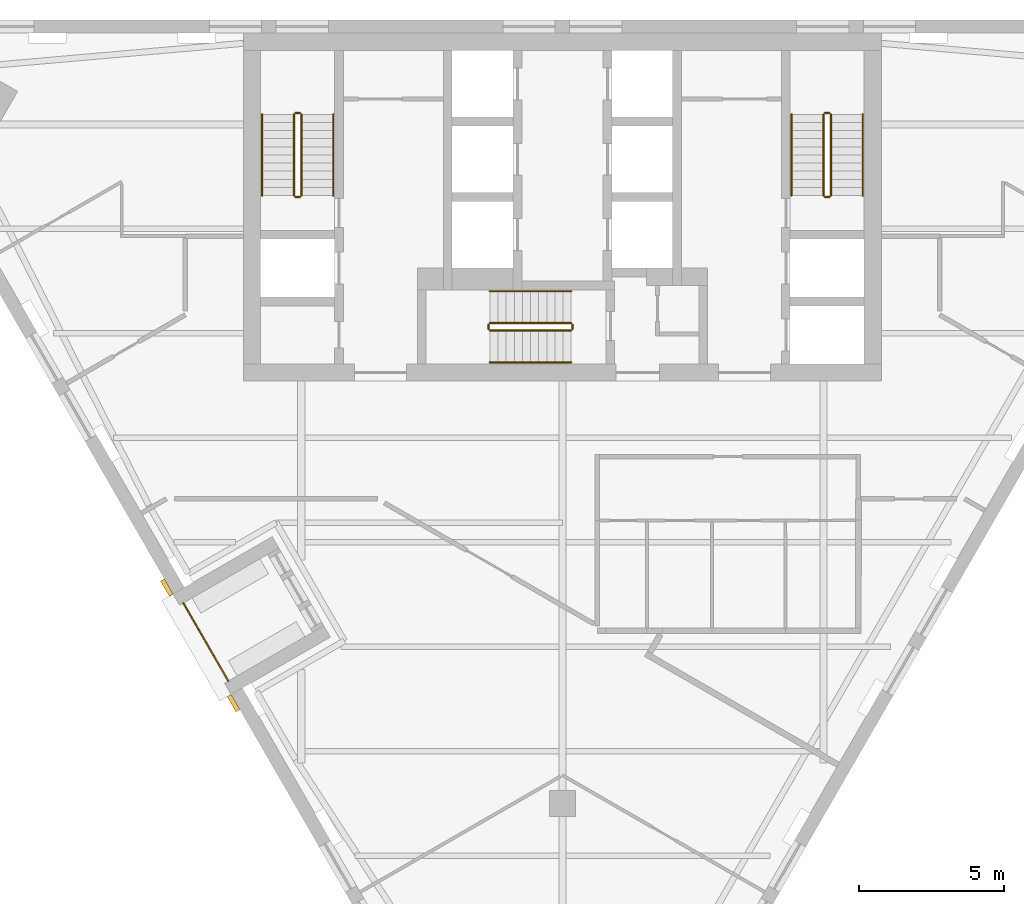
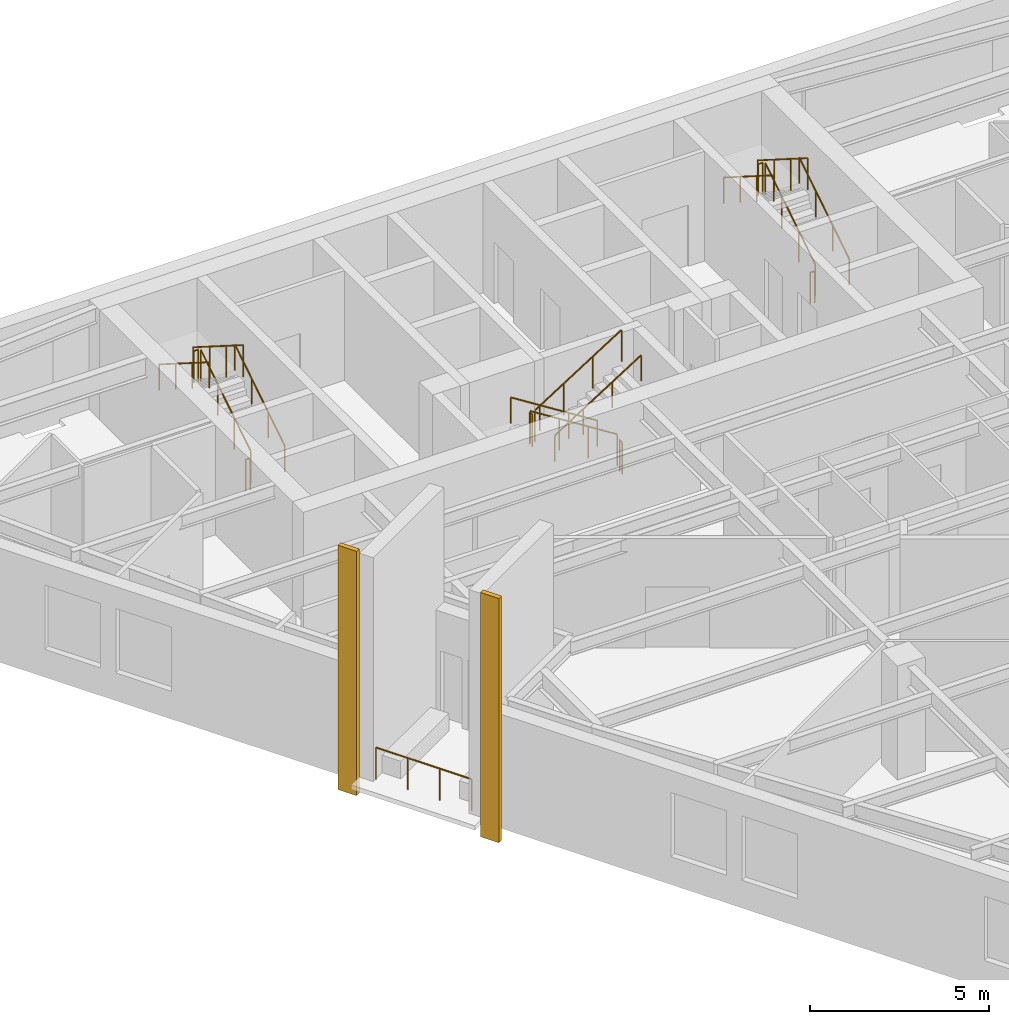
# One storey, part 7 of 7: 19 railings, 2 coverings.
"""IFC4 building model written with IfcOpenShell, lengths in metres."""

from ifc_helpers import new_model, si_unit, direction, frame, origin, origin_2d, place, context, subcontext, project, spatial, polyline, circle, outline, extrude, material, layer, layer_set, type_object, element, save


model = new_model("IFC4")

# Units and contexts
model_context = context("Model", 3, precision=1e-05, world=origin(), true_north=direction((0.0, 1.0)))
body_context = subcontext(model_context, "Body", "Model", "MODEL_VIEW")
ifc_project = project(units=[si_unit("LENGTHUNIT", "METRE"), si_unit("AREAUNIT", "SQUARE_METRE"), si_unit("VOLUMEUNIT", "CUBIC_METRE"), si_unit("PLANEANGLEUNIT", "RADIAN"), si_unit("MASSUNIT", "GRAM", prefix="KILO")], contexts=[model_context])

# Site, building, storey
site_placement = place(None, origin())
site = spatial("IfcSite", under=ifc_project, at=site_placement, CompositionType="ELEMENT")
building_placement = place(site_placement, origin())
building = spatial("IfcBuilding", under=site, at=building_placement, Name="Aloe Facet Convention Tower", CompositionType="ELEMENT")
storey_placement = place(building_placement, frame((0.0, 0.0, 148.10009765625)))
storey = spatial("IfcBuildingStorey", under=building, at=storey_placement, Name="L37", CompositionType="ELEMENT", Elevation=148.10009765625)

# Railings
ifc_material_1 = material(Name="Steel S355 balustrade", Category="steel")
railing_type_1 = type_object("IfcRailingType", Name="CR-RL-GUARD", PredefinedType="GUARDRAIL", material=ifc_material_1)
railing_1_placement = place(storey_placement, frame((71.0, 128.949951171875, 0.17724609375)))
element("IfcRailing", 1, at=railing_1_placement, inside=storey, type_object=railing_type_1, Name="L37 ST1 stair guard 1", PredefinedType="GUARDRAIL", context=body_context, shape_type="SweptSolid", body=[
    extrude(circle(Radius=0.02392578125, at=origin_2d()), frame((0.0, 0.0, 1.076171875), z_axis=(0.0, 0.844908973607, 0.534910110503), x_axis=(-1.0, 0.0, 0.0)), (0.0, 0.0, 1.0), 3.31396484375),
    extrude(circle(Radius=0.02099609375, at=origin_2d()), origin(), (0.0, 0.0, 1.0), 1.052001953125),
    extrude(circle(Radius=0.02099609375, at=origin_2d()), frame((0.0, 0.933349609375, 0.5908203125)), (0.0, 0.0, 1.0), 1.052001953125),
    extrude(circle(Radius=0.02099609375, at=origin_2d()), frame((0.0, 1.86669921875, 1.181884765625)), (0.0, 0.0, 1.0), 1.052001953125),
    extrude(circle(Radius=0.02099609375, at=origin_2d()), frame((0.0, 2.800048828125, 1.772705078125)), (0.0, 0.0, 1.0), 1.052001953125),
])
railing_2_placement = place(storey_placement, frame((70.949951171875, 131.800048828125, 1.949951171875)))
element("IfcRailing", 2, at=railing_2_placement, inside=storey, type_object=railing_type_1, Name="L37 ST1 stair guard 2", PredefinedType="GUARDRAIL", context=body_context, shape_type="SweptSolid", body=[
    extrude(circle(Radius=0.02392578125, at=origin_2d()), frame((0.0, 0.0, 1.076171875), z_axis=(-1.0, 0.0, 0.0), x_axis=(0.0, -1.0, 0.0)), (0.0, 0.0, 1.0), 0.14990234375),
    extrude(circle(Radius=0.02099609375, at=origin_2d()), origin(), (0.0, 0.0, 1.0), 1.052001953125),
    extrude(circle(Radius=0.02099609375, at=origin_2d()), frame((-0.14990234375, 0.0, 0.0)), (0.0, 0.0, 1.0), 1.052001953125),
])
railing_3_placement = place(storey_placement, frame((70.75, 131.75, 2.127197265625)))
element("IfcRailing", 3, at=railing_3_placement, inside=storey, type_object=railing_type_1, Name="L37 ST1 stair guard 3", PredefinedType="GUARDRAIL", context=body_context, shape_type="SweptSolid", body=[
    extrude(circle(Radius=0.02392578125, at=origin_2d()), frame((0.0, 0.0, 1.076171875), z_axis=(0.0, -0.844908973607, 0.534910110503), x_axis=(1.0, 0.0, 0.0)), (0.0, 0.0, 1.0), 3.31396484375),
    extrude(circle(Radius=0.02099609375, at=origin_2d()), origin(), (0.0, 0.0, 1.0), 1.052001953125),
    extrude(circle(Radius=0.02099609375, at=origin_2d()), frame((0.0, -0.933349609375, 0.5908203125)), (0.0, 0.0, 1.0), 1.052001953125),
    extrude(circle(Radius=0.02099609375, at=origin_2d()), frame((0.0, -1.86669921875, 1.181884765625)), (0.0, 0.0, 1.0), 1.052001953125),
    extrude(circle(Radius=0.02099609375, at=origin_2d()), frame((0.0, -2.800048828125, 1.772705078125)), (0.0, 0.0, 1.0), 1.052001953125),
])
railing_4_placement = place(storey_placement, frame((70.949951171875, 128.89990234375, 0.0)))
element("IfcRailing", 4, at=railing_4_placement, inside=storey, type_object=railing_type_1, Name="L37 ST1 stair guard 4", PredefinedType="GUARDRAIL", context=body_context, shape_type="SweptSolid", body=[
    extrude(circle(Radius=0.02392578125, at=origin_2d()), frame((0.0, 0.0, 1.076171875), z_axis=(-1.0, 0.0, 0.0), x_axis=(0.0, -1.0, 0.0)), (0.0, 0.0, 1.0), 0.14990234375),
    extrude(circle(Radius=0.02099609375, at=origin_2d()), origin(), (0.0, 0.0, 1.0), 1.052001953125),
    extrude(circle(Radius=0.02099609375, at=origin_2d()), frame((-0.14990234375, 0.0, 0.0)), (0.0, 0.0, 1.0), 1.052001953125),
])
railing_5_placement = place(storey_placement, frame((89.25, 128.949951171875, 0.17724609375)))
element("IfcRailing", 5, at=railing_5_placement, inside=storey, type_object=railing_type_1, Name="L37 ST2 stair guard 1", PredefinedType="GUARDRAIL", context=body_context, shape_type="SweptSolid", body=[
    extrude(circle(Radius=0.02392578125, at=origin_2d()), frame((0.0, 0.0, 1.076171875), z_axis=(0.0, 0.844908973607, 0.534910110503), x_axis=(-1.0, 0.0, 0.0)), (0.0, 0.0, 1.0), 3.31396484375),
    extrude(circle(Radius=0.02099609375, at=origin_2d()), origin(), (0.0, 0.0, 1.0), 1.052001953125),
    extrude(circle(Radius=0.02099609375, at=origin_2d()), frame((0.0, 0.933349609375, 0.5908203125)), (0.0, 0.0, 1.0), 1.052001953125),
    extrude(circle(Radius=0.02099609375, at=origin_2d()), frame((0.0, 1.86669921875, 1.181884765625)), (0.0, 0.0, 1.0), 1.052001953125),
    extrude(circle(Radius=0.02099609375, at=origin_2d()), frame((0.0, 2.800048828125, 1.772705078125)), (0.0, 0.0, 1.0), 1.052001953125),
])
railing_6_placement = place(storey_placement, frame((89.199951171875, 131.800048828125, 1.949951171875)))
element("IfcRailing", 6, at=railing_6_placement, inside=storey, type_object=railing_type_1, Name="L37 ST2 stair guard 2", PredefinedType="GUARDRAIL", context=body_context, shape_type="SweptSolid", body=[
    extrude(circle(Radius=0.02392578125, at=origin_2d()), frame((0.0, 0.0, 1.076171875), z_axis=(-1.0, 0.0, 0.0), x_axis=(0.0, -1.0, 0.0)), (0.0, 0.0, 1.0), 0.14990234375),
    extrude(circle(Radius=0.02099609375, at=origin_2d()), origin(), (0.0, 0.0, 1.0), 1.052001953125),
    extrude(circle(Radius=0.02099609375, at=origin_2d()), frame((-0.14990234375, 0.0, 0.0)), (0.0, 0.0, 1.0), 1.052001953125),
])
railing_7_placement = place(storey_placement, frame((89.0, 131.75, 2.127197265625)))
element("IfcRailing", 7, at=railing_7_placement, inside=storey, type_object=railing_type_1, Name="L37 ST2 stair guard 3", PredefinedType="GUARDRAIL", context=body_context, shape_type="SweptSolid", body=[
    extrude(circle(Radius=0.02392578125, at=origin_2d()), frame((0.0, 0.0, 1.076171875), z_axis=(0.0, -0.844908973607, 0.534910110503), x_axis=(1.0, 0.0, 0.0)), (0.0, 0.0, 1.0), 3.31396484375),
    extrude(circle(Radius=0.02099609375, at=origin_2d()), origin(), (0.0, 0.0, 1.0), 1.052001953125),
    extrude(circle(Radius=0.02099609375, at=origin_2d()), frame((0.0, -0.933349609375, 0.5908203125)), (0.0, 0.0, 1.0), 1.052001953125),
    extrude(circle(Radius=0.02099609375, at=origin_2d()), frame((0.0, -1.86669921875, 1.181884765625)), (0.0, 0.0, 1.0), 1.052001953125),
    extrude(circle(Radius=0.02099609375, at=origin_2d()), frame((0.0, -2.800048828125, 1.772705078125)), (0.0, 0.0, 1.0), 1.052001953125),
])
railing_8_placement = place(storey_placement, frame((89.199951171875, 128.89990234375, 0.0)))
element("IfcRailing", 8, at=railing_8_placement, inside=storey, type_object=railing_type_1, Name="L37 ST2 stair guard 4", PredefinedType="GUARDRAIL", context=body_context, shape_type="SweptSolid", body=[
    extrude(circle(Radius=0.02392578125, at=origin_2d()), frame((0.0, 0.0, 1.076171875), z_axis=(-1.0, 0.0, 0.0), x_axis=(0.0, -1.0, 0.0)), (0.0, 0.0, 1.0), 0.14990234375),
    extrude(circle(Radius=0.02099609375, at=origin_2d()), origin(), (0.0, 0.0, 1.0), 1.052001953125),
    extrude(circle(Radius=0.02099609375, at=origin_2d()), frame((-0.14990234375, 0.0, 0.0)), (0.0, 0.0, 1.0), 1.052001953125),
])
railing_9_placement = place(storey_placement, frame((80.300048828125, 124.550048828125, 0.17724609375)))
element("IfcRailing", 9, at=railing_9_placement, inside=storey, type_object=railing_type_1, Name="L37 ST3 stair guard 1", PredefinedType="GUARDRAIL", context=body_context, shape_type="SweptSolid", body=[
    extrude(circle(Radius=0.02392578125, at=origin_2d()), frame((0.0, 0.0, 1.076171875), z_axis=(-0.844908973607, 0.0, 0.534910110503), x_axis=(0.0, -1.0, 0.0)), (0.0, 0.0, 1.0), 3.31396484375),
    extrude(circle(Radius=0.02099609375, at=origin_2d()), origin(), (0.0, 0.0, 1.0), 1.052001953125),
    extrude(circle(Radius=0.02099609375, at=origin_2d()), frame((-0.933349609375, 0.0, 0.5908203125)), (0.0, 0.0, 1.0), 1.052001953125),
    extrude(circle(Radius=0.02099609375, at=origin_2d()), frame((-1.86669921875, 0.0, 1.181884765625)), (0.0, 0.0, 1.0), 1.052001953125),
    extrude(circle(Radius=0.02099609375, at=origin_2d()), frame((-2.800048828125, 0.0, 1.772705078125)), (0.0, 0.0, 1.0), 1.052001953125),
])
railing_10_placement = place(storey_placement, frame((77.449951171875, 124.5, 1.949951171875)))
element("IfcRailing", 10, at=railing_10_placement, inside=storey, type_object=railing_type_1, Name="L37 ST3 stair guard 2", PredefinedType="GUARDRAIL", context=body_context, shape_type="SweptSolid", body=[
    extrude(circle(Radius=0.02392578125, at=origin_2d()), frame((0.0, 0.0, 1.076171875), z_axis=(0.0, -1.0, 0.0), x_axis=(1.0, 0.0, 0.0)), (0.0, 0.0, 1.0), 0.14990234375),
    extrude(circle(Radius=0.02099609375, at=origin_2d()), origin(), (0.0, 0.0, 1.0), 1.052001953125),
    extrude(circle(Radius=0.02099609375, at=origin_2d()), frame((0.0, -0.14990234375, 0.0)), (0.0, 0.0, 1.0), 1.052001953125),
])
railing_11_placement = place(storey_placement, frame((77.5, 124.300048828125, 2.127197265625)))
element("IfcRailing", 11, at=railing_11_placement, inside=storey, type_object=railing_type_1, Name="L37 ST3 stair guard 3", PredefinedType="GUARDRAIL", context=body_context, shape_type="SweptSolid", body=[
    extrude(circle(Radius=0.02392578125, at=origin_2d()), frame((0.0, 0.0, 1.076171875), z_axis=(0.844908973607, 0.0, 0.534910110503), x_axis=(0.0, 1.0, 0.0)), (0.0, 0.0, 1.0), 3.31396484375),
    extrude(circle(Radius=0.02099609375, at=origin_2d()), origin(), (0.0, 0.0, 1.0), 1.052001953125),
    extrude(circle(Radius=0.02099609375, at=origin_2d()), frame((0.933349609375, 0.0, 0.5908203125)), (0.0, 0.0, 1.0), 1.052001953125),
    extrude(circle(Radius=0.02099609375, at=origin_2d()), frame((1.86669921875, 0.0, 1.181884765625)), (0.0, 0.0, 1.0), 1.052001953125),
    extrude(circle(Radius=0.02099609375, at=origin_2d()), frame((2.800048828125, 0.0, 1.772705078125)), (0.0, 0.0, 1.0), 1.052001953125),
])
railing_12_placement = place(storey_placement, frame((80.35009765625, 124.5, 0.0)))
element("IfcRailing", 12, at=railing_12_placement, inside=storey, type_object=railing_type_1, Name="L37 ST3 stair guard 4", PredefinedType="GUARDRAIL", context=body_context, shape_type="SweptSolid", body=[
    extrude(circle(Radius=0.02392578125, at=origin_2d()), frame((0.0, 0.0, 1.076171875), z_axis=(0.0, -1.0, 0.0), x_axis=(1.0, 0.0, 0.0)), (0.0, 0.0, 1.0), 0.14990234375),
    extrude(circle(Radius=0.02099609375, at=origin_2d()), origin(), (0.0, 0.0, 1.0), 1.052001953125),
    extrude(circle(Radius=0.02099609375, at=origin_2d()), frame((0.0, -0.14990234375, 0.0)), (0.0, 0.0, 1.0), 1.052001953125),
])
ifc_material_2 = material(Name="Steel S355 handrail", Category="steel")
railing_type_2 = type_object("IfcRailingType", Name="CR-RL-HAND", PredefinedType="HANDRAIL", material=ifc_material_2)
railing_13_placement = place(storey_placement, frame((72.10009765625, 128.949951171875, 0.17724609375)))
element("IfcRailing", 13, at=railing_13_placement, inside=storey, type_object=railing_type_2, Name="L37 ST1 stair handrail 1", PredefinedType="HANDRAIL", context=body_context, shape_type="SweptSolid", body=[
    extrude(circle(Radius=0.02392578125, at=origin_2d()), frame((0.0, 0.0, 0.8759765625), z_axis=(0.0, 0.844908973607, 0.534910110503), x_axis=(-1.0, 0.0, 0.0)), (0.0, 0.0, 1.0), 3.31396484375),
    extrude(circle(Radius=0.02099609375, at=origin_2d()), origin(), (0.0, 0.0, 1.0), 0.851806640625),
    extrude(circle(Radius=0.02099609375, at=origin_2d()), frame((0.0, 0.933349609375, 0.5908203125)), (0.0, 0.0, 1.0), 0.851806640625),
    extrude(circle(Radius=0.02099609375, at=origin_2d()), frame((0.0, 1.86669921875, 1.181884765625)), (0.0, 0.0, 1.0), 0.851806640625),
    extrude(circle(Radius=0.02099609375, at=origin_2d()), frame((0.0, 2.800048828125, 1.772705078125)), (0.0, 0.0, 1.0), 0.851806640625),
])
railing_14_placement = place(storey_placement, frame((69.64990234375, 131.75, 2.127197265625)))
element("IfcRailing", 14, at=railing_14_placement, inside=storey, type_object=railing_type_2, Name="L37 ST1 stair handrail 2", PredefinedType="HANDRAIL", context=body_context, shape_type="SweptSolid", body=[
    extrude(circle(Radius=0.02392578125, at=origin_2d()), frame((0.0, 0.0, 0.8759765625), z_axis=(0.0, -0.844908973607, 0.534910110503), x_axis=(1.0, 0.0, 0.0)), (0.0, 0.0, 1.0), 3.31396484375),
    extrude(circle(Radius=0.02099609375, at=origin_2d()), origin(), (0.0, 0.0, 1.0), 0.851806640625),
    extrude(circle(Radius=0.02099609375, at=origin_2d()), frame((0.0, -0.933349609375, 0.5908203125)), (0.0, 0.0, 1.0), 0.851806640625),
    extrude(circle(Radius=0.02099609375, at=origin_2d()), frame((0.0, -1.86669921875, 1.181884765625)), (0.0, 0.0, 1.0), 0.851806640625),
    extrude(circle(Radius=0.02099609375, at=origin_2d()), frame((0.0, -2.800048828125, 1.772705078125)), (0.0, 0.0, 1.0), 0.851806640625),
])
railing_15_placement = place(storey_placement, frame((90.35009765625, 128.949951171875, 0.17724609375)))
element("IfcRailing", 15, at=railing_15_placement, inside=storey, type_object=railing_type_2, Name="L37 ST2 stair handrail 1", PredefinedType="HANDRAIL", context=body_context, shape_type="SweptSolid", body=[
    extrude(circle(Radius=0.02392578125, at=origin_2d()), frame((0.0, 0.0, 0.8759765625), z_axis=(0.0, 0.844908973607, 0.534910110503), x_axis=(-1.0, 0.0, 0.0)), (0.0, 0.0, 1.0), 3.31396484375),
    extrude(circle(Radius=0.02099609375, at=origin_2d()), origin(), (0.0, 0.0, 1.0), 0.851806640625),
    extrude(circle(Radius=0.02099609375, at=origin_2d()), frame((0.0, 0.933349609375, 0.5908203125)), (0.0, 0.0, 1.0), 0.851806640625),
    extrude(circle(Radius=0.02099609375, at=origin_2d()), frame((0.0, 1.86669921875, 1.181884765625)), (0.0, 0.0, 1.0), 0.851806640625),
    extrude(circle(Radius=0.02099609375, at=origin_2d()), frame((0.0, 2.800048828125, 1.772705078125)), (0.0, 0.0, 1.0), 0.851806640625),
])
railing_16_placement = place(storey_placement, frame((87.89990234375, 131.75, 2.127197265625)))
element("IfcRailing", 16, at=railing_16_placement, inside=storey, type_object=railing_type_2, Name="L37 ST2 stair handrail 2", PredefinedType="HANDRAIL", context=body_context, shape_type="SweptSolid", body=[
    extrude(circle(Radius=0.02392578125, at=origin_2d()), frame((0.0, 0.0, 0.8759765625), z_axis=(0.0, -0.844908973607, 0.534910110503), x_axis=(1.0, 0.0, 0.0)), (0.0, 0.0, 1.0), 3.31396484375),
    extrude(circle(Radius=0.02099609375, at=origin_2d()), origin(), (0.0, 0.0, 1.0), 0.851806640625),
    extrude(circle(Radius=0.02099609375, at=origin_2d()), frame((0.0, -0.933349609375, 0.5908203125)), (0.0, 0.0, 1.0), 0.851806640625),
    extrude(circle(Radius=0.02099609375, at=origin_2d()), frame((0.0, -1.86669921875, 1.181884765625)), (0.0, 0.0, 1.0), 0.851806640625),
    extrude(circle(Radius=0.02099609375, at=origin_2d()), frame((0.0, -2.800048828125, 1.772705078125)), (0.0, 0.0, 1.0), 0.851806640625),
])
railing_17_placement = place(storey_placement, frame((80.300048828125, 125.64990234375, 0.17724609375)))
element("IfcRailing", 17, at=railing_17_placement, inside=storey, type_object=railing_type_2, Name="L37 ST3 stair handrail 1", PredefinedType="HANDRAIL", context=body_context, shape_type="SweptSolid", body=[
    extrude(circle(Radius=0.02392578125, at=origin_2d()), frame((0.0, 0.0, 0.8759765625), z_axis=(-0.844908973607, 0.0, 0.534910110503), x_axis=(0.0, -1.0, 0.0)), (0.0, 0.0, 1.0), 3.31396484375),
    extrude(circle(Radius=0.02099609375, at=origin_2d()), origin(), (0.0, 0.0, 1.0), 0.851806640625),
    extrude(circle(Radius=0.02099609375, at=origin_2d()), frame((-0.933349609375, 0.0, 0.5908203125)), (0.0, 0.0, 1.0), 0.851806640625),
    extrude(circle(Radius=0.02099609375, at=origin_2d()), frame((-1.86669921875, 0.0, 1.181884765625)), (0.0, 0.0, 1.0), 0.851806640625),
    extrude(circle(Radius=0.02099609375, at=origin_2d()), frame((-2.800048828125, 0.0, 1.772705078125)), (0.0, 0.0, 1.0), 0.851806640625),
])
railing_18_placement = place(storey_placement, frame((77.5, 123.199951171875, 2.127197265625)))
element("IfcRailing", 18, at=railing_18_placement, inside=storey, type_object=railing_type_2, Name="L37 ST3 stair handrail 2", PredefinedType="HANDRAIL", context=body_context, shape_type="SweptSolid", body=[
    extrude(circle(Radius=0.02392578125, at=origin_2d()), frame((0.0, 0.0, 0.8759765625), z_axis=(0.844908973607, 0.0, 0.534910110503), x_axis=(0.0, 1.0, 0.0)), (0.0, 0.0, 1.0), 3.31396484375),
    extrude(circle(Radius=0.02099609375, at=origin_2d()), origin(), (0.0, 0.0, 1.0), 0.851806640625),
    extrude(circle(Radius=0.02099609375, at=origin_2d()), frame((0.933349609375, 0.0, 0.5908203125)), (0.0, 0.0, 1.0), 0.851806640625),
    extrude(circle(Radius=0.02099609375, at=origin_2d()), frame((1.86669921875, 0.0, 1.181884765625)), (0.0, 0.0, 1.0), 0.851806640625),
    extrude(circle(Radius=0.02099609375, at=origin_2d()), frame((2.800048828125, 0.0, 1.772705078125)), (0.0, 0.0, 1.0), 0.851806640625),
])

# Coverings
ifc_material_3 = material(Name="Bronze oxide fascia sheet")
ifc_layer = layer(ifc_material_3, 0.14990234375)
ifc_layer_set = layer_set([ifc_layer], Name="EV-FASCIA-TERR")
covering_type = type_object("IfcCoveringType", Name="EV-FASCIA-TERR", PredefinedType="CLADDING", material=ifc_layer_set)
covering_1_placement = place(storey_placement, frame((0.0, 0.0, -0.550048828125)))
element("IfcCovering", 19, at=covering_1_placement, inside=storey, type_object=covering_type, Name="Terrace frame T08 1", PredefinedType="CLADDING", context=body_context, shape_type="SweptSolid", body=[
    extrude(outline(polyline([(66.1484375, 115.661865234375), (66.448486328125, 115.142333984375), (66.578369140625, 115.21728515625), (66.278564453125, 115.73681640625), (66.1484375, 115.661865234375)])), origin(), (0.0, 0.0, 1.0), 8.349853515625),
])
covering_2_placement = place(storey_placement, frame((0.0, 0.0, -0.550048828125)))
element("IfcCovering", 20, at=covering_2_placement, inside=storey, type_object=covering_type, Name="Terrace frame T08 2", PredefinedType="CLADDING", context=body_context, shape_type="SweptSolid", body=[
    extrude(outline(polyline([(68.448486328125, 111.67822265625), (68.74853515625, 111.15869140625), (68.87841796875, 111.233642578125), (68.578369140625, 111.753173828125), (68.448486328125, 111.67822265625)])), origin(), (0.0, 0.0, 1.0), 8.349853515625),
])

# Railing
ifc_material_4 = material(Name="Steel S355, bronze oxide finish", Category="steel")
railing_type_3 = type_object("IfcRailingType", Name="EV-GUARD-TERR", PredefinedType="GUARDRAIL", material=ifc_material_4)
railing_19_placement = place(storey_placement, frame((66.933349609375, 114.902587890625, 0.0)))
element("IfcRailing", 21, at=railing_19_placement, inside=storey, type_object=railing_type_3, Name="GUARD T08", PredefinedType="GUARDRAIL", context=body_context, shape_type="SweptSolid", body=[
    extrude(circle(Radius=0.02392578125, at=origin_2d()), frame((0.0, 0.0, 1.076171875), z_axis=(0.500026960575, -0.86600983753, 0.0), x_axis=(0.86600983753, 0.500026960575, 0.0)), (0.0, 0.0, 1.0), 3.099853515625),
    extrude(circle(Radius=0.02099609375, at=origin_2d()), origin(), (0.0, 0.0, 1.0), 1.052001953125),
    extrude(circle(Radius=0.02099609375, at=origin_2d()), frame((0.5166015625, -0.894775390625, 0.0)), (0.0, 0.0, 1.0), 1.052001953125),
    extrude(circle(Radius=0.02099609375, at=origin_2d()), frame((1.033447265625, -1.789794921875, 0.0)), (0.0, 0.0, 1.0), 1.052001953125),
    extrude(circle(Radius=0.02099609375, at=origin_2d()), frame((1.550048828125, -2.6845703125, 0.0)), (0.0, 0.0, 1.0), 1.052001953125),
])

save(model, "model.ifc")
